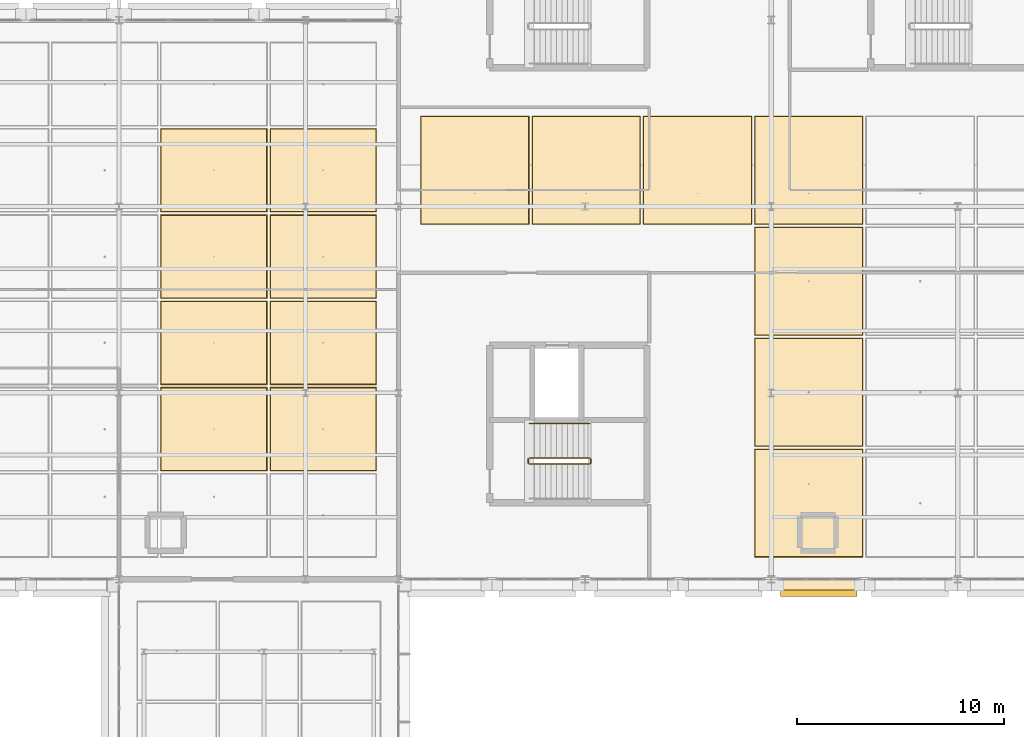
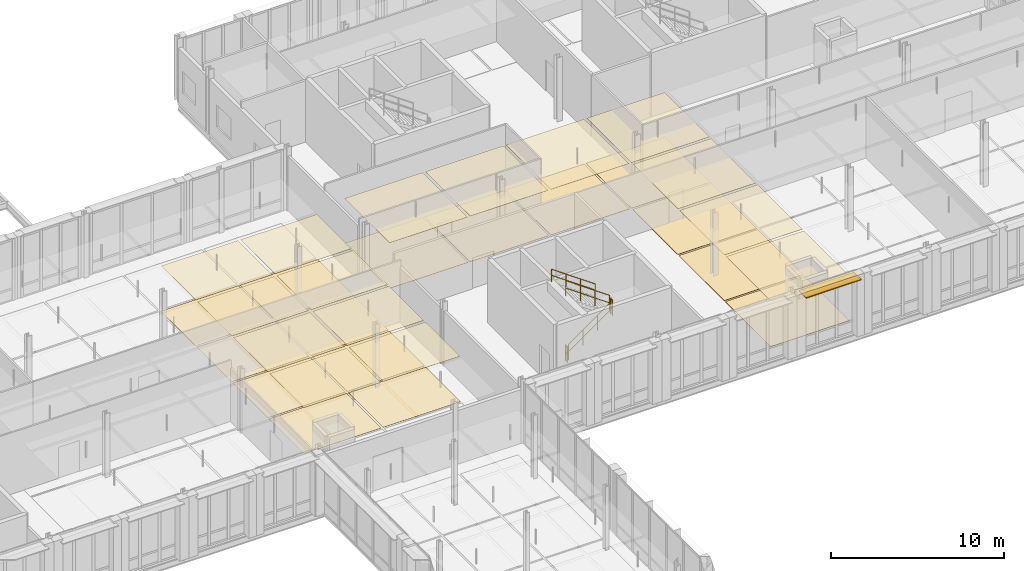
# One storey, part 136 of 140: 31 coverings, 5 railings, 1 shading device.
"""IFC4 building model written with IfcOpenShell, lengths in metres."""

from ifc_helpers import new_model, si_unit, direction, frame, origin, origin_2d, place, context, subcontext, project, spatial, rectangle, circle, extrude, material, layer, layer_set, type_object, element, save


model = new_model("IFC4")

# Units and contexts
model_context = context("Model", 3, precision=1e-05, world=origin(), true_north=direction((0.0, 1.0)))
body_context = subcontext(model_context, "Body", "Model", "MODEL_VIEW")
ifc_project = project(units=[si_unit("LENGTHUNIT", "METRE"), si_unit("AREAUNIT", "SQUARE_METRE"), si_unit("VOLUMEUNIT", "CUBIC_METRE"), si_unit("PLANEANGLEUNIT", "RADIAN"), si_unit("MASSUNIT", "GRAM", prefix="KILO"), si_unit("THERMODYNAMICTEMPERATUREUNIT", "KELVIN"), si_unit("POWERUNIT", "WATT")], contexts=[model_context])

# Site, building, storey
site_placement = place(None, origin())
site = spatial("IfcSite", under=ifc_project, at=site_placement, CompositionType="ELEMENT")
building_placement = place(site_placement, origin())
building = spatial("IfcBuilding", under=site, at=building_placement, Name="Tallowbark Science Centre", CompositionType="ELEMENT")
storey_placement = place(building_placement, frame((0.0, 0.0, 9.89990234375)))
storey = spatial("IfcBuildingStorey", under=building, at=storey_placement, Name="L02", CompositionType="ELEMENT", Elevation=9.89990234375)

# Coverings
ifc_material_1 = material(Name="Mineral-Fibre Acoustic Ceiling Tile Grid")
ifc_layer_1 = layer(ifc_material_1, 0.01806640625)
ifc_layer_set_1 = layer_set([ifc_layer_1], Name="Mineral-Fibre Acoustic Ceiling Tile Grid")
covering_type_1 = type_object("IfcCoveringType", Name="CLG-ACT-18", PredefinedType="CEILING", material=ifc_layer_set_1)
for number, where, z_axis, x_axis, name in (
    (1, (116.1875, 91.75, 3.191162109375), (0.0, 0.0, 1.0), (1.0, 0.0, 0.0), "Suspended Ceiling L02-911"),
    (2, (121.5625, 91.75, 3.191162109375), (0.0, 0.0, 1.0), (1.0, 0.0, 0.0), "Suspended Ceiling L02-913"),
    (3, (126.9375, 91.75, 3.191162109375), (0.0, 0.0, 1.0), (1.0, 0.0, 0.0), "Suspended Ceiling L02-915"),
    (4, (132.3125, 75.6787109375, 3.191162109375), (0.0, 0.0, 1.0), (1.0, 0.0, 0.0), "Suspended Ceiling L02-917"),
    (5, (132.3125, 81.03564453125, 3.191162109375), (0.0, 0.0, 1.0), (1.0, 0.0, 0.0), "Suspended Ceiling L02-918"),
    (6, (132.3125, 86.392822265625, 3.191162109375), (0.0, 0.0, 1.0), (1.0, 0.0, 0.0), "Suspended Ceiling L02-919"),
    (7, (132.3125, 91.75, 3.191162109375), (0.0, 0.0, 1.0), (1.0, 0.0, 0.0), "Suspended Ceiling L02-920"),
):
    element("IfcCovering", number, at=place(storey_placement, frame(where, z_axis=z_axis, x_axis=x_axis)), inside=storey, type_object=covering_type_1, Name=name, PredefinedType="CEILING", context=body_context, shape_type="SweptSolid", body=[
        extrude(rectangle(XDim=5.195068359375, YDim=5.177001953125, at=origin_2d()), origin(), (0.0, 0.0, 1.0), 0.01806640625),
    ])
ifc_material_2 = material(Name="Cleanable Vinyl-Faced Laboratory Ceiling Tile")
ifc_layer_2 = layer(ifc_material_2, 0.01611328125)
ifc_layer_set_2 = layer_set([ifc_layer_2], Name="Cleanable Vinyl-Faced Laboratory Ceiling Tile")
covering_type_2 = type_object("IfcCoveringType", Name="CLG-LAB-16", PredefinedType="CEILING", material=ifc_layer_set_2)
for number, where, z_axis, x_axis, name in (
    (8, (103.583251953125, 79.25, 3.192138671875), (0.0, 0.0, 1.0), (1.0, 0.0, 0.0), "Suspended Ceiling L02-900"),
    (9, (103.583251953125, 83.416748046875, 3.192138671875), (0.0, 0.0, 1.0), (1.0, 0.0, 0.0), "Suspended Ceiling L02-901"),
    (10, (103.583251953125, 87.583251953125, 3.192138671875), (0.0, 0.0, 1.0), (1.0, 0.0, 0.0), "Suspended Ceiling L02-902"),
    (11, (103.583251953125, 91.75, 3.192138671875), (0.0, 0.0, 1.0), (1.0, 0.0, 0.0), "Suspended Ceiling L02-903"),
    (12, (108.861083984375, 79.25, 3.192138671875), (0.0, 0.0, 1.0), (1.0, 0.0, 0.0), "Suspended Ceiling L02-906"),
    (13, (108.861083984375, 83.416748046875, 3.192138671875), (0.0, 0.0, 1.0), (1.0, 0.0, 0.0), "Suspended Ceiling L02-907"),
    (14, (108.861083984375, 87.583251953125, 3.192138671875), (0.0, 0.0, 1.0), (1.0, 0.0, 0.0), "Suspended Ceiling L02-908"),
    (15, (108.861083984375, 91.75, 3.192138671875), (0.0, 0.0, 1.0), (1.0, 0.0, 0.0), "Suspended Ceiling L02-909"),
):
    element("IfcCovering", number, at=place(storey_placement, frame(where, z_axis=z_axis, x_axis=x_axis)), inside=storey, type_object=covering_type_2, Name=name, PredefinedType="CEILING", context=body_context, shape_type="SweptSolid", body=[
        extrude(rectangle(XDim=5.097900390625, YDim=3.98681640625, at=origin_2d()), origin(), (0.0, 0.0, 1.0), 0.01611328125),
    ])
ifc_material_3 = material(Name="Vitrified Ochre Terracotta Architectural Rainscreen", Category="masonry")
ifc_layer_3 = layer(ifc_material_3, 0.0380859375)
ifc_layer_set_3 = layer_set([ifc_layer_3], Name="Vitrified Ochre Terracotta Architectural Rainscreen")
covering_type_3 = type_object("IfcCoveringType", Name="COV-TER-CLAD", PredefinedType="CLADDING", material=ifc_layer_set_3)
covering_placement = place(storey_placement, frame((132.800048828125, 71.739990234375, 3.97021484375), z_axis=(0.0, 0.0, 1.0), x_axis=(1.0, 0.0, 0.0)))
element("IfcCovering", 16, at=covering_placement, inside=storey, type_object=covering_type_3, Name="Postmodern Terracotta Cornice Band CW-L02-146", PredefinedType="CLADDING", context=body_context, shape_type="SweptSolid", body=[
    extrude(rectangle(XDim=4.300048828125, YDim=0.52001953125, at=origin_2d()), origin(), (0.0, 0.0, 1.0), 0.340087890625),
])
ifc_material_4 = material(Name="Engineered Blackbutt Gallery Timber Flooring", Category="wood")
ifc_layer_4 = layer(ifc_material_4, 0.02197265625)
ifc_layer_set_4 = layer_set([ifc_layer_4], Name="Engineered Blackbutt Gallery Timber Flooring")
covering_type_4 = type_object("IfcCoveringType", Name="FLR-TIM-22", PredefinedType="FLOORING", material=ifc_layer_set_4)
for number, where, z_axis, x_axis, name in (
    (17, (116.1875, 91.75, 0.0), (0.0, 0.0, 1.0), (1.0, 0.0, 0.0), "Floor Finish L02-911"),
    (18, (121.5625, 91.75, 0.0), (0.0, 0.0, 1.0), (1.0, 0.0, 0.0), "Floor Finish L02-913"),
    (19, (126.9375, 91.75, 0.0), (0.0, 0.0, 1.0), (1.0, 0.0, 0.0), "Floor Finish L02-915"),
    (20, (132.3125, 75.6787109375, 0.0), (0.0, 0.0, 1.0), (1.0, 0.0, 0.0), "Floor Finish L02-917"),
    (21, (132.3125, 81.03564453125, 0.0), (0.0, 0.0, 1.0), (1.0, 0.0, 0.0), "Floor Finish L02-918"),
    (22, (132.3125, 86.392822265625, 0.0), (0.0, 0.0, 1.0), (1.0, 0.0, 0.0), "Floor Finish L02-919"),
    (23, (132.3125, 91.75, 0.0), (0.0, 0.0, 1.0), (1.0, 0.0, 0.0), "Floor Finish L02-920"),
):
    element("IfcCovering", number, at=place(storey_placement, frame(where, z_axis=z_axis, x_axis=x_axis)), inside=storey, type_object=covering_type_4, Name=name, PredefinedType="FLOORING", context=body_context, shape_type="SweptSolid", body=[
        extrude(rectangle(XDim=5.2548828125, YDim=5.237060546875, at=origin_2d()), origin(), (0.0, 0.0, 1.0), 0.02197265625),
    ])
ifc_material_5 = material(Name="Chemical-Resistant Seamless Laboratory Vinyl")
ifc_layer_5 = layer(ifc_material_5, 0.011962890625)
ifc_layer_set_5 = layer_set([ifc_layer_5], Name="Chemical-Resistant Seamless Laboratory Vinyl")
covering_type_5 = type_object("IfcCoveringType", Name="FLR-VIN-12", PredefinedType="FLOORING", material=ifc_layer_set_5)
for number, where, z_axis, x_axis, name in (
    (24, (103.583251953125, 79.25, 0.0), (0.0, 0.0, 1.0), (1.0, 0.0, 0.0), "Floor Finish L02-900"),
    (25, (103.583251953125, 83.416748046875, 0.0), (0.0, 0.0, 1.0), (1.0, 0.0, 0.0), "Floor Finish L02-901"),
    (26, (103.583251953125, 87.583251953125, 0.0), (0.0, 0.0, 1.0), (1.0, 0.0, 0.0), "Floor Finish L02-902"),
    (27, (103.583251953125, 91.75, 0.0), (0.0, 0.0, 1.0), (1.0, 0.0, 0.0), "Floor Finish L02-903"),
    (28, (108.861083984375, 79.25, 0.0), (0.0, 0.0, 1.0), (1.0, 0.0, 0.0), "Floor Finish L02-906"),
    (29, (108.861083984375, 83.416748046875, 0.0), (0.0, 0.0, 1.0), (1.0, 0.0, 0.0), "Floor Finish L02-907"),
    (30, (108.861083984375, 87.583251953125, 0.0), (0.0, 0.0, 1.0), (1.0, 0.0, 0.0), "Floor Finish L02-908"),
    (31, (108.861083984375, 91.75, 0.0), (0.0, 0.0, 1.0), (1.0, 0.0, 0.0), "Floor Finish L02-909"),
):
    element("IfcCovering", number, at=place(storey_placement, frame(where, z_axis=z_axis, x_axis=x_axis)), inside=storey, type_object=covering_type_5, Name=name, PredefinedType="FLOORING", context=body_context, shape_type="SweptSolid", body=[
        extrude(rectangle(XDim=5.15771484375, YDim=4.046630859375, at=origin_2d()), origin(), (0.0, 0.0, 1.0), 0.011962890625),
    ])

# Railings
ifc_material_6 = material(Name="Galvanised Painted Steel and Laminated Glass Balustrade", Category="steel")
ifc_layer_6 = layer(ifc_material_6, 0.070068359375)
ifc_layer_set_6 = layer_set([ifc_layer_6], Name="Galvanised Painted Steel and Laminated Glass Balustrade")
railing_type_1 = type_object("IfcRailingType", Name="RLG-BAL-1150", PredefinedType="BALUSTRADE", material=ifc_layer_set_6)
railing_1_placement = place(storey_placement, frame((118.81005859375, 77.56005859375, 0.1875)))
element("IfcRailing", 32, at=railing_1_placement, inside=storey, type_object=railing_type_1, Name="L02 ST-02 stair guard 1", PredefinedType="BALUSTRADE", context=body_context, shape_type="SweptSolid", body=[
    extrude(circle(Radius=0.02392578125, at=origin_2d()), frame((0.0, 0.0, 1.076171875), z_axis=(0.816330724661, 0.0, 0.577584753931), x_axis=(0.0, 1.0, 0.0)), (0.0, 0.0, 1.0), 3.57080078125),
    extrude(circle(Radius=0.02392578125, at=origin_2d()), frame((0.0, 0.0, 0.550048828125), z_axis=(0.816330724661, 0.0, 0.577584753931), x_axis=(0.0, 1.0, 0.0)), (0.0, 0.0, 1.0), 3.57080078125),
    extrude(circle(Radius=0.02099609375, at=origin_2d()), origin(), (0.0, 0.0, 1.0), 1.052001953125),
    extrude(circle(Radius=0.02099609375, at=origin_2d()), frame((0.9716796875, 0.0, 0.6875)), (0.0, 0.0, 1.0), 1.052001953125),
    extrude(circle(Radius=0.02099609375, at=origin_2d()), frame((1.943359375, 0.0, 1.375)), (0.0, 0.0, 1.0), 1.052001953125),
    extrude(circle(Radius=0.02099609375, at=origin_2d()), frame((2.9150390625, 0.0, 2.0625)), (0.0, 0.0, 1.0), 1.052001953125),
])
railing_2_placement = place(storey_placement, frame((121.77490234375, 77.610107421875, 2.25)))
element("IfcRailing", 33, at=railing_2_placement, inside=storey, type_object=railing_type_1, Name="L02 ST-02 stair guard 2", PredefinedType="BALUSTRADE", context=body_context, shape_type="SweptSolid", body=[
    extrude(circle(Radius=0.02392578125, at=origin_2d()), frame((0.0, 0.0, 1.076171875), z_axis=(0.0, 1.0, 0.0), x_axis=(-1.0, 0.0, 0.0)), (0.0, 0.0, 1.0), 0.199951171875),
    extrude(circle(Radius=0.02392578125, at=origin_2d()), frame((0.0, 0.0, 0.550048828125), z_axis=(0.0, 1.0, 0.0), x_axis=(-1.0, 0.0, 0.0)), (0.0, 0.0, 1.0), 0.199951171875),
    extrude(circle(Radius=0.02099609375, at=origin_2d()), origin(), (0.0, 0.0, 1.0), 1.052001953125),
    extrude(circle(Radius=0.02099609375, at=origin_2d()), frame((0.0, 0.199951171875, 0.0)), (0.0, 0.0, 1.0), 1.052001953125),
])
railing_3_placement = place(storey_placement, frame((121.72509765625, 77.860107421875, 2.4375)))
element("IfcRailing", 34, at=railing_3_placement, inside=storey, type_object=railing_type_1, Name="L02 ST-02 stair guard 3", PredefinedType="BALUSTRADE", context=body_context, shape_type="SweptSolid", body=[
    extrude(circle(Radius=0.02392578125, at=origin_2d()), frame((0.0, 0.0, 1.076171875), z_axis=(-0.816330724661, 0.0, 0.577584753931), x_axis=(0.0, -1.0, 0.0)), (0.0, 0.0, 1.0), 3.57080078125),
    extrude(circle(Radius=0.02392578125, at=origin_2d()), frame((0.0, 0.0, 0.550048828125), z_axis=(-0.816330724661, 0.0, 0.577584753931), x_axis=(0.0, -1.0, 0.0)), (0.0, 0.0, 1.0), 3.57080078125),
    extrude(circle(Radius=0.02099609375, at=origin_2d()), origin(), (0.0, 0.0, 1.0), 1.052001953125),
    extrude(circle(Radius=0.02099609375, at=origin_2d()), frame((-0.9716796875, 0.0, 0.6875)), (0.0, 0.0, 1.0), 1.052001953125),
    extrude(circle(Radius=0.02099609375, at=origin_2d()), frame((-1.943359375, 0.0, 1.375)), (0.0, 0.0, 1.0), 1.052001953125),
    extrude(circle(Radius=0.02099609375, at=origin_2d()), frame((-2.9150390625, 0.0, 2.0625)), (0.0, 0.0, 1.0), 1.052001953125),
])
railing_4_placement = place(storey_placement, frame((118.760009765625, 77.610107421875, 0.0)))
element("IfcRailing", 35, at=railing_4_placement, inside=storey, type_object=railing_type_1, Name="L02 ST-02 stair guard 4", PredefinedType="BALUSTRADE", context=body_context, shape_type="SweptSolid", body=[
    extrude(circle(Radius=0.02392578125, at=origin_2d()), frame((0.0, 0.0, 1.076171875), z_axis=(0.0, 1.0, 0.0), x_axis=(-1.0, 0.0, 0.0)), (0.0, 0.0, 1.0), 0.199951171875),
    extrude(circle(Radius=0.02392578125, at=origin_2d()), frame((0.0, 0.0, 0.550048828125), z_axis=(0.0, 1.0, 0.0), x_axis=(-1.0, 0.0, 0.0)), (0.0, 0.0, 1.0), 0.199951171875),
    extrude(circle(Radius=0.02099609375, at=origin_2d()), origin(), (0.0, 0.0, 1.0), 1.052001953125),
    extrude(circle(Radius=0.02099609375, at=origin_2d()), frame((0.0, 0.199951171875, 0.0)), (0.0, 0.0, 1.0), 1.052001953125),
])
ifc_material_7 = material(Name="Brushed Grade 316 Stainless Steel Handrail", Category="steel")
ifc_layer_7 = layer(ifc_material_7, 0.050048828125)
ifc_layer_set_7 = layer_set([ifc_layer_7], Name="Brushed Grade 316 Stainless Steel Handrail")
railing_type_2 = type_object("IfcRailingType", Name="RLG-HDR-950", PredefinedType="HANDRAIL", material=ifc_layer_set_7)
railing_5_placement = place(storey_placement, frame((121.72509765625, 79.52001953125, 2.4375)))
element("IfcRailing", 36, at=railing_5_placement, inside=storey, type_object=railing_type_2, Name="L02 ST-02 stair handrail 2", PredefinedType="HANDRAIL", context=body_context, shape_type="SweptSolid", body=[
    extrude(circle(Radius=0.02392578125, at=origin_2d()), frame((0.0, 0.0, 0.8759765625), z_axis=(-0.816330724661, 0.0, 0.577584753931), x_axis=(0.0, -1.0, 0.0)), (0.0, 0.0, 1.0), 3.57080078125),
    extrude(circle(Radius=0.02392578125, at=origin_2d()), frame((0.0, 0.0, 0.449951171875), z_axis=(-0.816330724661, 0.0, 0.577584753931), x_axis=(0.0, -1.0, 0.0)), (0.0, 0.0, 1.0), 3.57080078125),
    extrude(circle(Radius=0.02099609375, at=origin_2d()), origin(), (0.0, 0.0, 1.0), 0.851806640625),
    extrude(circle(Radius=0.02099609375, at=origin_2d()), frame((-0.9716796875, 0.0, 0.6875)), (0.0, 0.0, 1.0), 0.851806640625),
    extrude(circle(Radius=0.02099609375, at=origin_2d()), frame((-1.943359375, 0.0, 1.375)), (0.0, 0.0, 1.0), 0.851806640625),
    extrude(circle(Radius=0.02099609375, at=origin_2d()), frame((-2.9150390625, 0.0, 2.0625)), (0.0, 0.0, 1.0), 0.851806640625),
])

# Shading device
ifc_material_8 = material(Name="Terracotta-Anodised Extruded Aluminium Sunshade Blade", Category="masonry")
ifc_layer_8 = layer(ifc_material_8, 0.054931640625)
ifc_layer_set_8 = layer_set([ifc_layer_8], Name="Terracotta-Anodised Extruded Aluminium Sunshade Blade")
shading_device_type = type_object("IfcShadingDeviceType", Name="SHD-LVR-300", PredefinedType="AWNING", material=ifc_layer_set_8)
shading_device_placement = place(storey_placement, frame((132.800048828125, 71.580078125, 4.1328125), z_axis=(0.0, 0.0, 1.0), x_axis=(1.0, 0.0, 0.0)))
element("IfcShadingDevice", 37, at=shading_device_placement, inside=storey, type_object=shading_device_type, Name="Horizontal Solar Louvre Hood CW-L02-146", PredefinedType="AWNING", context=body_context, shape_type="SweptSolid", body=[
    extrude(rectangle(XDim=3.699951171875, YDim=0.840087890625, at=origin_2d()), origin(), (0.0, 0.0, 1.0), 0.054931640625),
])

save(model, "model.ifc")
